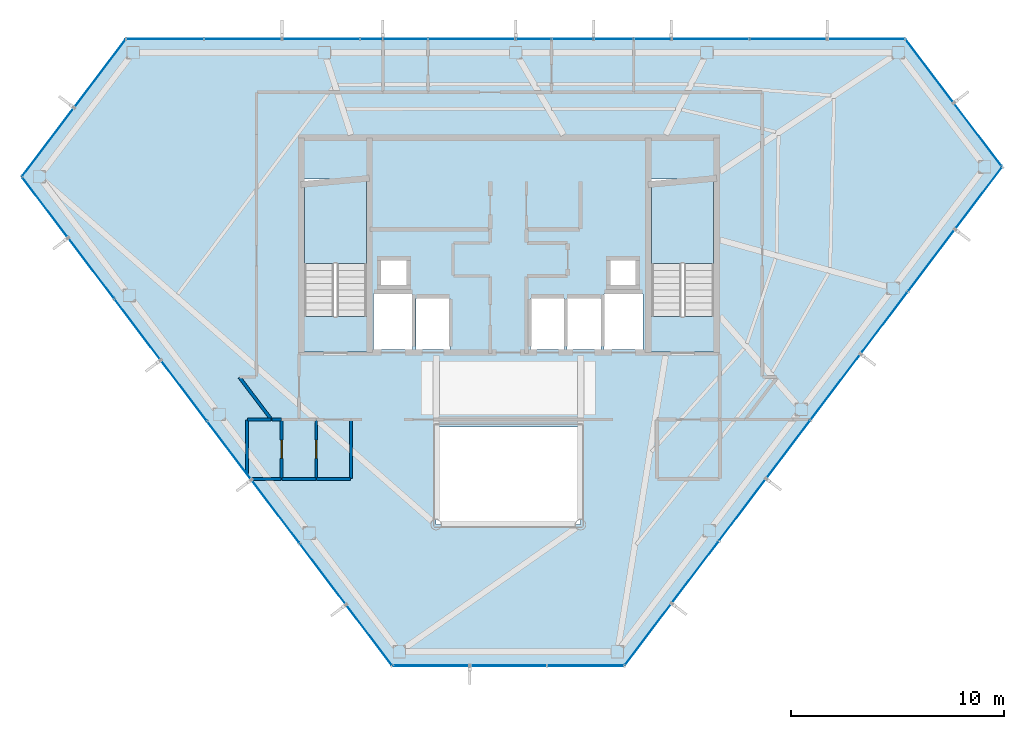
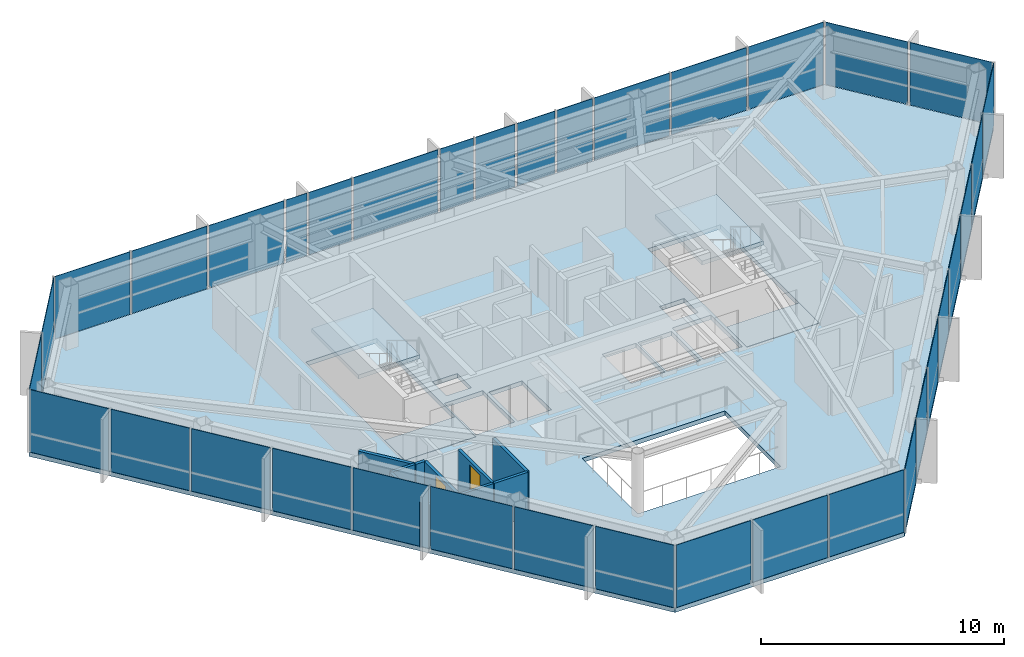
# One storey, part 21 of 25: 36 plates, 10 walls, 5 slabs, 2 doors, 2 openings, 8 elements without a shape of their own.
"""IFC4 building model written with IfcOpenShell, lengths in metres."""

from ifc_helpers import new_model, si_unit, direction, frame, frame_2d, origin, origin_2d, place, context, subcontext, project, spatial, polyline, rectangle, outline, extrude, material, layer, layer_set, type_object, element, fill, aggregate, save


model = new_model("IFC4")

# Units and contexts
model_context = context("Model", 3, precision=1e-05, world=origin(), true_north=direction((0.0, 1.0)))
body_context = subcontext(model_context, "Body", "Model", "MODEL_VIEW")
ifc_project = project(units=[si_unit("LENGTHUNIT", "METRE"), si_unit("AREAUNIT", "SQUARE_METRE"), si_unit("VOLUMEUNIT", "CUBIC_METRE"), si_unit("PLANEANGLEUNIT", "RADIAN"), si_unit("MASSUNIT", "GRAM", prefix="KILO")], contexts=[model_context])

# Site, building, storey
site_placement = place(None, origin())
site = spatial("IfcSite", under=ifc_project, at=site_placement, CompositionType="ELEMENT")
building_placement = place(site_placement, origin())
building = spatial("IfcBuilding", under=site, at=building_placement, Name="Zarrinselat Tower", CompositionType="ELEMENT")
storey_placement = place(building_placement, frame((0.0, 0.0, 239.360107421875)))
storey = spatial("IfcBuildingStorey", under=building, at=storey_placement, Name="L60", CompositionType="ELEMENT", Elevation=239.360107421875)

# Curtain wall, plates
ifc_material_1 = material(Name="Extruded Aluminium Alloy EN AW-6063 T6", Category="aluminium")
ifc_layer_1 = layer(ifc_material_1, 0.169921875)
ifc_layer_set_1 = layer_set([ifc_layer_1], Name="Extruded Aluminium Alloy EN AW-6063 T6")
curtain_wall_type = type_object("IfcCurtainWallType", Name="CWS-RES", PredefinedType="NOTDEFINED", material=ifc_layer_set_1)
curtain_wall_1_placement = place(storey_placement, origin())
curtain_wall_1 = element("IfcCurtainWall", 1, at=curtain_wall_1_placement, inside=storey, type_object=curtain_wall_type, Name="L60 Unitised Curtain Wall CW-L60-E01", PredefinedType="NOTDEFINED")
ifc_material_2 = material(Name="Double Low-E Laminated Solar Glass", Category="glass")
ifc_layer_2 = layer(ifc_material_2, 0.028076171875)
ifc_layer_set_2 = layer_set([ifc_layer_2], Name="Double Low-E Laminated Solar Glass")
plate_type = type_object("IfcPlateType", Name="PLT-CW-GL28", PredefinedType="CURTAIN_PANEL", material=ifc_layer_set_2)
plate_1_placement = place(storey_placement, frame((55.236083984375, 48.06103515625, 0.02001953125), z_axis=(0.0, 0.0, 1.0), x_axis=(-1.0, 0.0, 0.0)))
plate_1 = element("IfcPlate", 2, at=plate_1_placement, type_object=plate_type, Name="CW-L60-E01 Vision Glass Panel 1", PredefinedType="CURTAIN_PANEL", context=body_context, shape_type="SweptSolid", body=[
    extrude(rectangle(XDim=3.564697265625, YDim=0.028076171875, at=origin_2d()), origin(), (0.0, 0.0, 1.0), 3.139892578125),
])
plate_2_placement = place(storey_placement, frame((51.5712890625, 48.06103515625, 0.02001953125), z_axis=(0.0, 0.0, 1.0), x_axis=(-1.0, 0.0, 0.0)))
plate_2 = element("IfcPlate", 3, at=plate_2_placement, type_object=plate_type, Name="CW-L60-E01 Vision Glass Panel 2", PredefinedType="CURTAIN_PANEL", context=body_context, shape_type="SweptSolid", body=[
    extrude(rectangle(XDim=3.564697265625, YDim=0.028076171875, at=origin_2d()), origin(), (0.0, 0.0, 1.0), 3.139892578125),
])
plate_3_placement = place(storey_placement, frame((47.90673828125, 48.06103515625, 0.02001953125), z_axis=(0.0, 0.0, 1.0), x_axis=(-1.0, 0.0, 0.0)))
plate_3 = element("IfcPlate", 4, at=plate_3_placement, type_object=plate_type, Name="CW-L60-E01 Vision Glass Panel 3", PredefinedType="CURTAIN_PANEL", context=body_context, shape_type="SweptSolid", body=[
    extrude(rectangle(XDim=3.564697265625, YDim=0.028076171875, at=origin_2d()), origin(), (0.0, 0.0, 1.0), 3.139892578125),
])
plate_4_placement = place(storey_placement, frame((45.18701171875, 48.06103515625, 0.02001953125), z_axis=(0.0, 0.0, 1.0), x_axis=(-1.0, 0.0, 0.0)))
plate_4 = element("IfcPlate", 5, at=plate_4_placement, type_object=plate_type, Name="CW-L60-E01 Vision Glass Panel 4", PredefinedType="CURTAIN_PANEL", context=body_context, shape_type="SweptSolid", body=[
    extrude(rectangle(XDim=1.67431640625, YDim=0.028076171875, at=origin_2d()), origin(), (0.0, 0.0, 1.0), 3.139892578125),
])
plate_5_placement = place(storey_placement, frame((43.354736328125, 48.06103515625, 0.02001953125), z_axis=(0.0, 0.0, 1.0), x_axis=(-1.0, 0.0, 0.0)))
plate_5 = element("IfcPlate", 6, at=plate_5_placement, type_object=plate_type, Name="CW-L60-E01 Vision Glass Panel 5", PredefinedType="CURTAIN_PANEL", context=body_context, shape_type="SweptSolid", body=[
    extrude(rectangle(XDim=1.79052734375, YDim=0.028076171875, at=origin_2d()), origin(), (0.0, 0.0, 1.0), 3.139892578125),
])
plate_6_placement = place(storey_placement, frame((41.419677734375, 48.06103515625, 0.02001953125), z_axis=(0.0, 0.0, 1.0), x_axis=(-1.0, 0.0, 0.0)))
plate_6 = element("IfcPlate", 7, at=plate_6_placement, type_object=plate_type, Name="CW-L60-E01 Vision Glass Panel 6", PredefinedType="CURTAIN_PANEL", context=body_context, shape_type="SweptSolid", body=[
    extrude(rectangle(XDim=1.8798828125, YDim=0.028076171875, at=origin_2d()), origin(), (0.0, 0.0, 1.0), 3.139892578125),
])
plate_7_placement = place(storey_placement, frame((39.587158203125, 48.06103515625, 0.02001953125), z_axis=(0.0, 0.0, 1.0), x_axis=(-1.0, 0.0, 0.0)))
plate_7 = element("IfcPlate", 8, at=plate_7_placement, type_object=plate_type, Name="CW-L60-E01 Vision Glass Panel 7", PredefinedType="CURTAIN_PANEL", context=body_context, shape_type="SweptSolid", body=[
    extrude(rectangle(XDim=1.584716796875, YDim=0.028076171875, at=origin_2d()), origin(), (0.0, 0.0, 1.0), 3.139892578125),
])
plate_8_placement = place(storey_placement, frame((36.684326171875, 48.06103515625, 0.02001953125), z_axis=(0.0, 0.0, 1.0), x_axis=(-1.0, 0.0, 0.0)))
plate_8 = element("IfcPlate", 9, at=plate_8_placement, type_object=plate_type, Name="CW-L60-E01 Vision Glass Panel 8", PredefinedType="CURTAIN_PANEL", context=body_context, shape_type="SweptSolid", body=[
    extrude(rectangle(XDim=4.020751953125, YDim=0.028076171875, at=origin_2d()), origin(), (0.0, 0.0, 1.0), 3.139892578125),
])
plate_9_placement = place(storey_placement, frame((33.56201171875, 48.06103515625, 0.02001953125), z_axis=(0.0, 0.0, 1.0), x_axis=(-1.0, 0.0, 0.0)))
plate_9 = element("IfcPlate", 10, at=plate_9_placement, type_object=plate_type, Name="CW-L60-E01 Vision Glass Panel 9", PredefinedType="CURTAIN_PANEL", context=body_context, shape_type="SweptSolid", body=[
    extrude(rectangle(XDim=2.02392578125, YDim=0.028076171875, at=origin_2d()), origin(), (0.0, 0.0, 1.0), 3.139892578125),
])
plate_10_placement = place(storey_placement, frame((31.95751953125, 48.06103515625, 0.02001953125), z_axis=(0.0, 0.0, 1.0), x_axis=(-1.0, 0.0, 0.0)))
plate_10 = element("IfcPlate", 11, at=plate_10_placement, type_object=plate_type, Name="CW-L60-E01 Vision Glass Panel 10", PredefinedType="CURTAIN_PANEL", context=body_context, shape_type="SweptSolid", body=[
    extrude(rectangle(XDim=0.98486328125, YDim=0.028076171875, at=origin_2d()), origin(), (0.0, 0.0, 1.0), 3.139892578125),
])
plate_11_placement = place(storey_placement, frame((29.582763671875, 48.06103515625, 0.02001953125), z_axis=(0.0, 0.0, 1.0), x_axis=(-1.0, 0.0, 0.0)))
plate_11 = element("IfcPlate", 12, at=plate_11_placement, type_object=plate_type, Name="CW-L60-E01 Vision Glass Panel 11", PredefinedType="CURTAIN_PANEL", context=body_context, shape_type="SweptSolid", body=[
    extrude(rectangle(XDim=3.564697265625, YDim=0.028076171875, at=origin_2d()), origin(), (0.0, 0.0, 1.0), 3.139892578125),
])
plate_12_placement = place(storey_placement, frame((25.918212890625, 48.06103515625, 0.02001953125), z_axis=(0.0, 0.0, 1.0), x_axis=(-1.0, 0.0, 0.0)))
plate_12 = element("IfcPlate", 13, at=plate_12_placement, type_object=plate_type, Name="CW-L60-E01 Vision Glass Panel 12", PredefinedType="CURTAIN_PANEL", context=body_context, shape_type="SweptSolid", body=[
    extrude(rectangle(XDim=3.564697265625, YDim=0.028076171875, at=origin_2d()), origin(), (0.0, 0.0, 1.0), 3.139892578125),
])
plate_13_placement = place(storey_placement, frame((22.25341796875, 48.06103515625, 0.02001953125), z_axis=(0.0, 0.0, 1.0), x_axis=(-1.0, 0.0, 0.0)))
plate_13 = element("IfcPlate", 14, at=plate_13_placement, type_object=plate_type, Name="CW-L60-E01 Vision Glass Panel 13", PredefinedType="CURTAIN_PANEL", context=body_context, shape_type="SweptSolid", body=[
    extrude(rectangle(XDim=3.564697265625, YDim=0.028076171875, at=origin_2d()), origin(), (0.0, 0.0, 1.0), 3.139892578125),
])
aggregate(curtain_wall_1, [plate_1, plate_2, plate_3, plate_4, plate_5, plate_6, plate_7, plate_8, plate_9, plate_10, plate_11, plate_12, plate_13])

curtain_wall_2_placement = place(storey_placement, origin())
curtain_wall_2 = element("IfcCurtainWall", 15, at=curtain_wall_2_placement, inside=storey, type_object=curtain_wall_type, Name="L60 Unitised Curtain Wall CW-L60-E02", PredefinedType="NOTDEFINED")
plate_14_placement = place(storey_placement, frame((19.192626953125, 46.439697265625, 0.02001953125), z_axis=(0.0, 0.0, 1.0), x_axis=(-0.603859107785, -0.797091072554, 0.0)))
plate_14 = element("IfcPlate", 16, at=plate_14_placement, type_object=plate_type, Name="CW-L60-E02 Vision Glass Panel 1", PredefinedType="CURTAIN_PANEL", context=body_context, shape_type="SweptSolid", body=[
    extrude(rectangle(XDim=3.96826171875, YDim=0.028076171875, at=origin_2d()), origin(), (0.0, 0.0, 1.0), 3.139892578125),
])
plate_15_placement = place(storey_placement, frame((16.736083984375, 43.197021484375, 0.02001953125), z_axis=(0.0, 0.0, 1.0), x_axis=(-0.603859107785, -0.797091072554, 0.0)))
plate_15 = element("IfcPlate", 17, at=plate_15_placement, type_object=plate_type, Name="CW-L60-E02 Vision Glass Panel 2", PredefinedType="CURTAIN_PANEL", context=body_context, shape_type="SweptSolid", body=[
    extrude(rectangle(XDim=3.96826171875, YDim=0.028076171875, at=origin_2d()), origin(), (0.0, 0.0, 1.0), 3.139892578125),
])
aggregate(curtain_wall_2, [plate_14, plate_15])

curtain_wall_3_placement = place(storey_placement, origin())
curtain_wall_3 = element("IfcCurtainWall", 18, at=curtain_wall_3_placement, inside=storey, type_object=curtain_wall_type, Name="L60 Unitised Curtain Wall CW-L60-E03", PredefinedType="NOTDEFINED")
plate_16_placement = place(storey_placement, frame((16.597412109375, 40.137451171875, 0.02001953125), z_axis=(0.0, 0.0, 1.0), x_axis=(0.603857888062, -0.797091996588, 0.0)))
plate_16 = element("IfcPlate", 19, at=plate_16_placement, type_object=plate_type, Name="CW-L60-E03 Vision Glass Panel 1", PredefinedType="CURTAIN_PANEL", context=body_context, shape_type="SweptSolid", body=[
    extrude(rectangle(XDim=3.5087890625, YDim=0.028076171875, at=origin_2d()), origin(), (0.0, 0.0, 1.0), 3.139892578125),
])
plate_17_placement = place(storey_placement, frame((18.776611328125, 37.2607421875, 0.02001953125), z_axis=(0.0, 0.0, 1.0), x_axis=(0.603857888062, -0.797091996588, 0.0)))
plate_17 = element("IfcPlate", 20, at=plate_17_placement, type_object=plate_type, Name="CW-L60-E03 Vision Glass Panel 2", PredefinedType="CURTAIN_PANEL", context=body_context, shape_type="SweptSolid", body=[
    extrude(rectangle(XDim=3.5087890625, YDim=0.028076171875, at=origin_2d()), origin(), (0.0, 0.0, 1.0), 3.139892578125),
])
plate_18_placement = place(storey_placement, frame((20.955810546875, 34.384033203125, 0.02001953125), z_axis=(0.0, 0.0, 1.0), x_axis=(0.603857888062, -0.797091996588, 0.0)))
plate_18 = element("IfcPlate", 21, at=plate_18_placement, type_object=plate_type, Name="CW-L60-E03 Vision Glass Panel 3", PredefinedType="CURTAIN_PANEL", context=body_context, shape_type="SweptSolid", body=[
    extrude(rectangle(XDim=3.5087890625, YDim=0.028076171875, at=origin_2d()), origin(), (0.0, 0.0, 1.0), 3.139892578125),
])
plate_19_placement = place(storey_placement, frame((23.135009765625, 31.507568359375, 0.02001953125), z_axis=(0.0, 0.0, 1.0), x_axis=(0.603857888062, -0.797091996588, 0.0)))
plate_19 = element("IfcPlate", 22, at=plate_19_placement, type_object=plate_type, Name="CW-L60-E03 Vision Glass Panel 4", PredefinedType="CURTAIN_PANEL", context=body_context, shape_type="SweptSolid", body=[
    extrude(rectangle(XDim=3.5087890625, YDim=0.028076171875, at=origin_2d()), origin(), (0.0, 0.0, 1.0), 3.139892578125),
])
plate_20_placement = place(storey_placement, frame((25.2685546875, 28.69140625, 0.02001953125), z_axis=(0.0, 0.0, 1.0), x_axis=(0.603857888062, -0.797091996588, 0.0)))
plate_20 = element("IfcPlate", 23, at=plate_20_placement, type_object=plate_type, Name="CW-L60-E03 Vision Glass Panel 5", PredefinedType="CURTAIN_PANEL", context=body_context, shape_type="SweptSolid", body=[
    extrude(rectangle(XDim=3.356689453125, YDim=0.028076171875, at=origin_2d()), origin(), (0.0, 0.0, 1.0), 3.139892578125),
])
plate_21_placement = place(storey_placement, frame((27.44775390625, 25.81494140625, 0.02001953125), z_axis=(0.0, 0.0, 1.0), x_axis=(0.603857888062, -0.797091996588, 0.0)))
plate_21 = element("IfcPlate", 24, at=plate_21_placement, type_object=plate_type, Name="CW-L60-E03 Vision Glass Panel 6", PredefinedType="CURTAIN_PANEL", context=body_context, shape_type="SweptSolid", body=[
    extrude(rectangle(XDim=3.660888671875, YDim=0.028076171875, at=origin_2d()), origin(), (0.0, 0.0, 1.0), 3.139892578125),
])
plate_22_placement = place(storey_placement, frame((29.6728515625, 22.877685546875, 0.02001953125), z_axis=(0.0, 0.0, 1.0), x_axis=(0.603857888062, -0.797091996588, 0.0)))
plate_22 = element("IfcPlate", 25, at=plate_22_placement, type_object=plate_type, Name="CW-L60-E03 Vision Glass Panel 7", PredefinedType="CURTAIN_PANEL", context=body_context, shape_type="SweptSolid", body=[
    extrude(rectangle(XDim=3.5087890625, YDim=0.028076171875, at=origin_2d()), origin(), (0.0, 0.0, 1.0), 3.139892578125),
])
plate_23_placement = place(storey_placement, frame((31.852294921875, 20.0009765625, 0.02001953125), z_axis=(0.0, 0.0, 1.0), x_axis=(0.603857888062, -0.797091996588, 0.0)))
plate_23 = element("IfcPlate", 26, at=plate_23_placement, type_object=plate_type, Name="CW-L60-E03 Vision Glass Panel 8", PredefinedType="CURTAIN_PANEL", context=body_context, shape_type="SweptSolid", body=[
    extrude(rectangle(XDim=3.5087890625, YDim=0.028076171875, at=origin_2d()), origin(), (0.0, 0.0, 1.0), 3.139892578125),
])
aggregate(curtain_wall_3, [plate_16, plate_17, plate_18, plate_19, plate_20, plate_21, plate_22, plate_23])

curtain_wall_4_placement = place(storey_placement, origin())
curtain_wall_4 = element("IfcCurtainWall", 27, at=curtain_wall_4_placement, inside=storey, type_object=curtain_wall_type, Name="L60 Unitised Curtain Wall CW-L60-E04", PredefinedType="NOTDEFINED")
plate_24_placement = place(storey_placement, frame((34.76123046875, 18.562744140625, 0.02001953125), z_axis=(0.0, 0.0, 1.0), x_axis=(1.0, 0.0, 0.0)))
plate_24 = element("IfcPlate", 28, at=plate_24_placement, type_object=plate_type, Name="CW-L60-E04 Vision Glass Panel 1", PredefinedType="CURTAIN_PANEL", context=body_context, shape_type="SweptSolid", body=[
    extrude(rectangle(XDim=3.538818359375, YDim=0.028076171875, at=origin_2d()), origin(), (0.0, 0.0, 1.0), 3.139892578125),
])
plate_25_placement = place(storey_placement, frame((38.39990234375, 18.562744140625, 0.02001953125), z_axis=(0.0, 0.0, 1.0), x_axis=(1.0, 0.0, 0.0)))
plate_25 = element("IfcPlate", 29, at=plate_25_placement, type_object=plate_type, Name="CW-L60-E04 Vision Glass Panel 2", PredefinedType="CURTAIN_PANEL", context=body_context, shape_type="SweptSolid", body=[
    extrude(rectangle(XDim=3.538818359375, YDim=0.028076171875, at=origin_2d()), origin(), (0.0, 0.0, 1.0), 3.139892578125),
])
plate_26_placement = place(storey_placement, frame((42.038818359375, 18.562744140625, 0.02001953125), z_axis=(0.0, 0.0, 1.0), x_axis=(1.0, 0.0, 0.0)))
plate_26 = element("IfcPlate", 30, at=plate_26_placement, type_object=plate_type, Name="CW-L60-E04 Vision Glass Panel 3", PredefinedType="CURTAIN_PANEL", context=body_context, shape_type="SweptSolid", body=[
    extrude(rectangle(XDim=3.538818359375, YDim=0.028076171875, at=origin_2d()), origin(), (0.0, 0.0, 1.0), 3.139892578125),
])
aggregate(curtain_wall_4, [plate_24, plate_25, plate_26])

curtain_wall_5_placement = place(storey_placement, origin())
curtain_wall_5 = element("IfcCurtainWall", 31, at=curtain_wall_5_placement, inside=storey, type_object=curtain_wall_type, Name="L60 Unitised Curtain Wall CW-L60-E05", PredefinedType="NOTDEFINED")
plate_27_placement = place(storey_placement, frame((44.969482421875, 20.029541015625, 0.02001953125), z_axis=(0.0, 0.0, 1.0), x_axis=(0.603858472709, 0.797091553674, 0.0)))
plate_27 = element("IfcPlate", 32, at=plate_27_placement, type_object=plate_type, Name="CW-L60-E05 Vision Glass Panel 1", PredefinedType="CURTAIN_PANEL", context=body_context, shape_type="SweptSolid", body=[
    extrude(rectangle(XDim=3.580322265625, YDim=0.028076171875, at=origin_2d()), origin(), (0.0, 0.0, 1.0), 3.139892578125),
])
plate_28_placement = place(storey_placement, frame((47.191650390625, 22.962890625, 0.02001953125), z_axis=(0.0, 0.0, 1.0), x_axis=(0.603858472709, 0.797091553674, 0.0)))
plate_28 = element("IfcPlate", 33, at=plate_28_placement, type_object=plate_type, Name="CW-L60-E05 Vision Glass Panel 2", PredefinedType="CURTAIN_PANEL", context=body_context, shape_type="SweptSolid", body=[
    extrude(rectangle(XDim=3.580322265625, YDim=0.028076171875, at=origin_2d()), origin(), (0.0, 0.0, 1.0), 3.139892578125),
])
plate_29_placement = place(storey_placement, frame((49.4140625, 25.896484375, 0.02001953125), z_axis=(0.0, 0.0, 1.0), x_axis=(0.603858472709, 0.797091553674, 0.0)))
plate_29 = element("IfcPlate", 34, at=plate_29_placement, type_object=plate_type, Name="CW-L60-E05 Vision Glass Panel 3", PredefinedType="CURTAIN_PANEL", context=body_context, shape_type="SweptSolid", body=[
    extrude(rectangle(XDim=3.580322265625, YDim=0.028076171875, at=origin_2d()), origin(), (0.0, 0.0, 1.0), 3.139892578125),
])
plate_30_placement = place(storey_placement, frame((51.567138671875, 28.738525390625, 0.02001953125), z_axis=(0.0, 0.0, 1.0), x_axis=(0.603858472709, 0.797091553674, 0.0)))
plate_30 = element("IfcPlate", 35, at=plate_30_placement, type_object=plate_type, Name="CW-L60-E05 Vision Glass Panel 4", PredefinedType="CURTAIN_PANEL", context=body_context, shape_type="SweptSolid", body=[
    extrude(rectangle(XDim=3.3505859375, YDim=0.028076171875, at=origin_2d()), origin(), (0.0, 0.0, 1.0), 3.139892578125),
])
plate_31_placement = place(storey_placement, frame((53.78955078125, 31.672119140625, 0.02001953125), z_axis=(0.0, 0.0, 1.0), x_axis=(0.603858472709, 0.797091553674, 0.0)))
plate_31 = element("IfcPlate", 36, at=plate_31_placement, type_object=plate_type, Name="CW-L60-E05 Vision Glass Panel 5", PredefinedType="CURTAIN_PANEL", context=body_context, shape_type="SweptSolid", body=[
    extrude(rectangle(XDim=3.809814453125, YDim=0.028076171875, at=origin_2d()), origin(), (0.0, 0.0, 1.0), 3.139892578125),
])
plate_32_placement = place(storey_placement, frame((56.081298828125, 34.697021484375, 0.02001953125), z_axis=(0.0, 0.0, 1.0), x_axis=(0.603858472709, 0.797091553674, 0.0)))
plate_32 = element("IfcPlate", 37, at=plate_32_placement, type_object=plate_type, Name="CW-L60-E05 Vision Glass Panel 6", PredefinedType="CURTAIN_PANEL", context=body_context, shape_type="SweptSolid", body=[
    extrude(rectangle(XDim=3.580322265625, YDim=0.028076171875, at=origin_2d()), origin(), (0.0, 0.0, 1.0), 3.139892578125),
])
plate_33_placement = place(storey_placement, frame((58.3037109375, 37.630615234375, 0.02001953125), z_axis=(0.0, 0.0, 1.0), x_axis=(0.603858472709, 0.797091553674, 0.0)))
plate_33 = element("IfcPlate", 38, at=plate_33_placement, type_object=plate_type, Name="CW-L60-E05 Vision Glass Panel 7", PredefinedType="CURTAIN_PANEL", context=body_context, shape_type="SweptSolid", body=[
    extrude(rectangle(XDim=3.580322265625, YDim=0.028076171875, at=origin_2d()), origin(), (0.0, 0.0, 1.0), 3.139892578125),
])
plate_34_placement = place(storey_placement, frame((60.52587890625, 40.56396484375, 0.02001953125), z_axis=(0.0, 0.0, 1.0), x_axis=(0.603858472709, 0.797091553674, 0.0)))
plate_34 = element("IfcPlate", 39, at=plate_34_placement, type_object=plate_type, Name="CW-L60-E05 Vision Glass Panel 8", PredefinedType="CURTAIN_PANEL", context=body_context, shape_type="SweptSolid", body=[
    extrude(rectangle(XDim=3.580322265625, YDim=0.028076171875, at=origin_2d()), origin(), (0.0, 0.0, 1.0), 3.139892578125),
])
aggregate(curtain_wall_5, [plate_27, plate_28, plate_29, plate_30, plate_31, plate_32, plate_33, plate_34])

curtain_wall_6_placement = place(storey_placement, origin())
curtain_wall_6 = element("IfcCurtainWall", 40, at=curtain_wall_6_placement, inside=storey, type_object=curtain_wall_type, Name="L60 Unitised Curtain Wall CW-L60-E06", PredefinedType="NOTDEFINED")
plate_35_placement = place(storey_placement, frame((60.4951171875, 43.538330078125, 0.02001953125), z_axis=(0.0, 0.0, 1.0), x_axis=(-0.603865322642, 0.797086364274, 0.0)))
plate_35 = element("IfcPlate", 41, at=plate_35_placement, type_object=plate_type, Name="CW-L60-E06 Vision Glass Panel 1", PredefinedType="CURTAIN_PANEL", context=body_context, shape_type="SweptSolid", body=[
    extrude(rectangle(XDim=3.6826171875, YDim=0.028076171875, at=origin_2d()), origin(), (0.0, 0.0, 1.0), 3.139892578125),
])
plate_36_placement = place(storey_placement, frame((58.210693359375, 46.553466796875, 0.02001953125), z_axis=(0.0, 0.0, 1.0), x_axis=(-0.603865322642, 0.797086364274, 0.0)))
plate_36 = element("IfcPlate", 42, at=plate_36_placement, type_object=plate_type, Name="CW-L60-E06 Vision Glass Panel 2", PredefinedType="CURTAIN_PANEL", context=body_context, shape_type="SweptSolid", body=[
    extrude(rectangle(XDim=3.6826171875, YDim=0.028076171875, at=origin_2d()), origin(), (0.0, 0.0, 1.0), 3.139892578125),
])
aggregate(curtain_wall_6, [plate_35, plate_36])

# Slabs
ifc_material_3 = material(Name="Concrete C40/50", Category="concrete")
ifc_layer_3 = layer(ifc_material_3, 0.219970703125)
ifc_layer_set_3 = layer_set([ifc_layer_3], Name="Concrete C40/50")
slab_type_1 = type_object("IfcSlabType", Name="SLB-FLOOR-220-SL-RS220", PredefinedType="FLOOR", material=ifc_layer_set_3)
slab_1_placement = place(storey_placement, frame((0.0, 0.0, -0.22021484375)))
element("IfcSlab", 43, at=slab_1_placement, inside=storey, type_object=slab_type_1, Name="L60 Primary Structural Slab", PredefinedType="FLOOR", context=body_context, shape_type="SweptSolid", body=[
    extrude(outline(polyline([(57.068603515625, 48.06103515625), (20.4208984375, 48.06103515625), (15.5078125, 41.57568359375), (32.94189453125, 18.562744140625), (43.858154296875, 18.562744140625), (61.63720703125, 42.03076171875), (57.068603515625, 48.06103515625)]), holes=[polyline([(41.800048828125, 25.199951171875), (35.0, 25.199951171875), (35.0, 29.800048828125), (41.800048828125, 29.800048828125), (41.800048828125, 25.199951171875)]), polyline([(35.64990234375, 33.449951171875), (34.050048828125, 33.449951171875), (34.050048828125, 35.85009765625), (35.64990234375, 35.85009765625), (35.64990234375, 33.449951171875)]), polyline([(41.050048828125, 33.449951171875), (39.449951171875, 33.449951171875), (39.449951171875, 35.85009765625), (41.050048828125, 35.85009765625), (41.050048828125, 33.449951171875)]), polyline([(41.14990234375, 33.449951171875), (41.14990234375, 35.85009765625), (42.75, 35.85009765625), (42.75, 33.449951171875), (41.14990234375, 33.449951171875)]), polyline([(32.06005859375, 33.449951171875), (32.06005859375, 36.050048828125), (33.89990234375, 36.050048828125), (33.89990234375, 33.449951171875), (32.06005859375, 33.449951171875)]), polyline([(44.739990234375, 33.449951171875), (42.89990234375, 33.449951171875), (42.89990234375, 36.050048828125), (44.739990234375, 36.050048828125), (44.739990234375, 33.449951171875)]), polyline([(33.60009765625, 36.47998046875), (32.419921875, 36.47998046875), (32.419921875, 37.639892578125), (33.60009765625, 37.639892578125), (33.60009765625, 36.47998046875)]), polyline([(44.3798828125, 36.47998046875), (43.199951171875, 36.47998046875), (43.199951171875, 37.639892578125), (44.3798828125, 37.639892578125), (44.3798828125, 36.47998046875)]), polyline([(31.985107421875, 33.324951171875), (28.60498046875, 33.324951171875), (28.60498046875, 41.47509765625), (31.985107421875, 41.47509765625), (31.985107421875, 33.324951171875)]), polyline([(48.324951171875, 33.324951171875), (44.875, 33.324951171875), (44.875, 41.47509765625), (48.324951171875, 41.47509765625), (48.324951171875, 33.324951171875)])]), origin(), (0.0, 0.0, 1.0), 0.22021484375),
])
slab_2_placement = place(storey_placement, frame((0.0, 0.0, -0.22021484375)))
element("IfcSlab", 44, at=slab_2_placement, inside=storey, type_object=slab_type_1, Name="L60 Stair ST-1-FL1 Structural Floor Landing", PredefinedType="FLOOR", context=body_context, shape_type="SweptSolid", body=[
    extrude(outline(polyline([(31.97998046875, 33.330078125), (31.97998046875, 35.0), (28.610107421875, 35.0), (28.610107421875, 33.330078125), (31.97998046875, 33.330078125)])), origin(), (0.0, 0.0, 1.0), 0.22021484375),
])
slab_3_placement = place(storey_placement, frame((0.0, 0.0, -0.22021484375)))
element("IfcSlab", 45, at=slab_3_placement, inside=storey, type_object=slab_type_1, Name="L60 Stair ST-2-FL1 Structural Floor Landing", PredefinedType="FLOOR", context=body_context, shape_type="SweptSolid", body=[
    extrude(outline(polyline([(48.320068359375, 33.330078125), (48.320068359375, 35.0), (44.8798828125, 35.0), (44.8798828125, 33.330078125), (48.320068359375, 33.330078125)])), origin(), (0.0, 0.0, 1.0), 0.22021484375),
])

# Stair, slab
ifc_material_4 = material(Name="Concrete C40/50", Category="concrete")
stair_type = type_object("IfcStairType", Name="STR-CORE-155", PredefinedType="HALF_TURN_STAIR", material=ifc_material_4)
stair_1_placement = place(storey_placement, origin())
stair_1 = element("IfcStair", 46, at=stair_1_placement, inside=storey, type_object=stair_type, Name="L60 Core Exit Stair 1", PredefinedType="HALF_TURN_STAIR")
ifc_material_5 = material(Name="Concrete C40/50", Category="concrete")
ifc_layer_4 = layer(ifc_material_5, 0.18994140625)
ifc_layer_set_4 = layer_set([ifc_layer_4], Name="Concrete C40/50")
slab_type_2 = type_object("IfcSlabType", Name="SLB-LND-190", PredefinedType="LANDING", material=ifc_layer_set_4)
slab_4_placement = place(storey_placement, frame((0.0, 0.0, 1.5)))
slab_4 = element("IfcSlab", 47, at=slab_4_placement, type_object=slab_type_2, Name="ST-1 landing 1", PredefinedType="LANDING", context=body_context, shape_type="SweptSolid", body=[
    extrude(outline(polyline([(31.719970703125, 37.47998046875), (31.719970703125, 41.35009765625), (28.800048828125, 41.35009765625), (28.800048828125, 37.47998046875), (31.719970703125, 37.47998046875)])), origin(), (0.0, 0.0, 1.0), 0.199951171875),
])
aggregate(stair_1, [slab_4])

stair_2_placement = place(storey_placement, origin())
stair_2 = element("IfcStair", 48, at=stair_2_placement, inside=storey, type_object=stair_type, Name="L60 Core Exit Stair 2", PredefinedType="HALF_TURN_STAIR")
slab_5_placement = place(storey_placement, frame((0.0, 0.0, 1.5)))
slab_5 = element("IfcSlab", 49, at=slab_5_placement, type_object=slab_type_2, Name="ST-2 landing 1", PredefinedType="LANDING", context=body_context, shape_type="SweptSolid", body=[
    extrude(outline(polyline([(48.06005859375, 37.47998046875), (48.06005859375, 41.35009765625), (45.139892578125, 41.35009765625), (45.139892578125, 37.47998046875), (48.06005859375, 37.47998046875)])), origin(), (0.0, 0.0, 1.0), 0.199951171875),
])
aggregate(stair_2, [slab_5])

# Walls
ifc_material_6 = material(Name="Fire-Rated Gypsum Board Partition", Category="gypsum")
ifc_layer_5 = layer(ifc_material_6, 0.14990234375)
ifc_layer_set_5 = layer_set([ifc_layer_5], Name="Fire-Rated Gypsum Board Partition")
wall_type_1 = type_object("IfcWallType", Name="WAL-PART-EI60", PredefinedType="PARTITIONING", material=ifc_layer_set_5)
wall_1_placement = place(storey_placement, frame((27.269775390625, 30.14990234375, 0.0), z_axis=(0.0, 0.0, 1.0), x_axis=(1.0, 0.0, 0.0)))
element("IfcWall", 50, at=wall_1_placement, inside=storey, type_object=wall_type_1, Name="L60 Partition Wall 26", PredefinedType="PARTITIONING", context=body_context, shape_type="SweptSolid", body=[
    extrude(rectangle(XDim=0.455322265625, YDim=0.14990234375, at=frame_2d((0.2275390625, 0.0))), origin(), (0.0, 0.0, 1.0), 2.23486328125),
])
wall_2_placement = place(storey_placement, frame((25.74658203125, 32.134033203125, 0.0), z_axis=(0.0, 0.0, 1.0), x_axis=(0.603931928578, -0.797035899847, 0.0)))
element("IfcWall", 51, at=wall_2_placement, inside=storey, type_object=wall_type_1, Name="L60 Partition Wall 29", PredefinedType="PARTITIONING", context=body_context, shape_type="SweptSolid", body=[
    extrude(rectangle(XDim=2.46923828125, YDim=0.14990234375, at=frame_2d((1.234619140625, 0.0))), origin(), (0.0, 0.0, 1.0), 2.23486328125),
])
ifc_material_7 = material(Name="Fire-Rated Gypsum Board Partition", Category="gypsum")
ifc_layer_6 = layer(ifc_material_7, 0.1201171875)
ifc_layer_set_6 = layer_set([ifc_layer_6], Name="Fire-Rated Gypsum Board Partition")
wall_type_2 = type_object("IfcWallType", Name="WAL-PART-STD", PredefinedType="PARTITIONING", material=ifc_layer_set_6)
wall_3_placement = place(storey_placement, frame((27.75, 27.35009765625, 0.0), z_axis=(0.0, 0.0, 1.0), x_axis=(1.0, 0.0, 0.0)))
element("IfcWall", 52, at=wall_3_placement, inside=storey, type_object=wall_type_2, Name="L60 Partition Wall 51", PredefinedType="PARTITIONING", context=body_context, shape_type="SweptSolid", body=[
    extrude(rectangle(XDim=1.590087890625, YDim=0.1201171875, at=frame_2d((0.794921875, 0.0))), origin(), (0.0, 0.0, 1.0), 2.23486328125),
])

# Wall, opening, door
ifc_material_8 = material(Name="Fire-Rated Gypsum Board Partition", Category="gypsum")
ifc_layer_7 = layer(ifc_material_8, 0.135009765625)
ifc_layer_set_7 = layer_set([ifc_layer_7], Name="Fire-Rated Gypsum Board Partition")
wall_type_3 = type_object("IfcWallType", Name="WAL-PART-WET", PredefinedType="PARTITIONING", material=ifc_layer_set_7)
wall_4_placement = place(storey_placement, frame((29.360107421875, 27.3701171875, 0.0), z_axis=(0.0, 0.0, 1.0), x_axis=(0.0, 1.0, 0.0)))
wall_4 = element("IfcWall", 53, at=wall_4_placement, inside=storey, type_object=wall_type_3, Name="L60 Partition Wall 44", PredefinedType="PARTITIONING", context=body_context, shape_type="SweptSolid", body=[
    extrude(rectangle(XDim=2.759765625, YDim=0.135009765625, at=frame_2d((1.3798828125, 0.0))), origin(), (0.0, 0.0, 1.0), 2.23486328125),
])
opening_1_placement = place(wall_4_placement, frame((0.949951171875, 0.0, 0.0)))
opening_1 = element("IfcOpeningElement", 54, at=opening_1_placement, cuts=wall_4, Name="Opening ID-06", PredefinedType="OPENING", context=body_context, shape_type="SweptSolid", body=[
    extrude(rectangle(XDim=0.860107421875, YDim=2.050048828125, at=frame_2d((0.43017578125, 1.02490234375))), frame((0.0, 0.077392578125, 0.0), z_axis=(0.0, -1.0, 0.0), x_axis=(1.0, 0.0, 0.0)), (0.0, 0.0, 1.0), 0.155029296875),
])
ifc_material_9 = material(Name="Extruded Aluminium Alloy EN AW-6063 T6", Category="aluminium")
door_type = type_object("IfcDoorType", Name="DR-INT-WET-900", OperationType="NOTDEFINED", PredefinedType="DOOR", material=ifc_material_9)
door_1_placement = place(opening_1_placement, origin())
door_1 = element("IfcDoor", 55, at=door_1_placement, inside=storey, type_object=door_type, Name="L60 Interior Door P44", OperationType="SINGLE_SWING_LEFT", OverallHeight=2.050048828125, OverallWidth=0.860107421875, PredefinedType="DOOR", context=body_context, shape_type="SweptSolid", body=[
    extrude(rectangle(XDim=0.860107421875, YDim=2.050048828125, at=frame_2d((0.43017578125, 1.02490234375))), frame((0.0, 0.02490234375, 0.0), z_axis=(0.0, -1.0, 0.0), x_axis=(1.0, 0.0, 0.0)), (0.0, 0.0, 1.0), 0.050048828125),
])
fill(opening_1, door_1)

# Walls
wall_5_placement = place(storey_placement, frame((29.3798828125, 27.35009765625, 0.0), z_axis=(0.0, 0.0, 1.0), x_axis=(1.0, 0.0, 0.0)))
element("IfcWall", 56, at=wall_5_placement, inside=storey, type_object=wall_type_3, Name="L60 Partition Wall 45", PredefinedType="PARTITIONING", context=body_context, shape_type="SweptSolid", body=[
    extrude(rectangle(XDim=1.60009765625, YDim=0.135009765625, at=frame_2d((0.800048828125, 0.0))), origin(), (0.0, 0.0, 1.0), 2.23486328125),
])
wall_6_placement = place(storey_placement, frame((31.0, 27.3701171875, 0.0), z_axis=(0.0, 0.0, 1.0), x_axis=(0.0, 1.0, 0.0)))
element("IfcWall", 57, at=wall_6_placement, inside=storey, type_object=wall_type_3, Name="L60 Partition Wall 46", PredefinedType="PARTITIONING", context=body_context, shape_type="SweptSolid", body=[
    extrude(rectangle(XDim=2.759765625, YDim=0.135009765625, at=frame_2d((1.3798828125, 0.0))), origin(), (0.0, 0.0, 1.0), 2.23486328125),
])

# Wall, opening, door
wall_7_placement = place(storey_placement, frame((27.72998046875, 27.3701171875, 0.0), z_axis=(0.0, 0.0, 1.0), x_axis=(0.0, 1.0, 0.0)))
wall_7 = element("IfcWall", 58, at=wall_7_placement, inside=storey, type_object=wall_type_3, Name="L60 Partition Wall 47", PredefinedType="PARTITIONING", context=body_context, shape_type="SweptSolid", body=[
    extrude(rectangle(XDim=2.759765625, YDim=0.135009765625, at=frame_2d((1.3798828125, 0.0))), origin(), (0.0, 0.0, 1.0), 2.23486328125),
])
opening_2_placement = place(wall_7_placement, frame((0.949951171875, 0.0, 0.0)))
opening_2 = element("IfcOpeningElement", 59, at=opening_2_placement, cuts=wall_7, Name="Opening ID-06", PredefinedType="OPENING", context=body_context, shape_type="SweptSolid", body=[
    extrude(rectangle(XDim=0.860107421875, YDim=2.050048828125, at=frame_2d((0.43017578125, 1.02490234375))), frame((0.0, 0.077392578125, 0.0), z_axis=(0.0, -1.0, 0.0), x_axis=(1.0, 0.0, 0.0)), (0.0, 0.0, 1.0), 0.155029296875),
])
door_2_placement = place(opening_2_placement, origin())
door_2 = element("IfcDoor", 60, at=door_2_placement, inside=storey, type_object=door_type, Name="L60 Interior Door P47", OperationType="SINGLE_SWING_RIGHT", OverallHeight=2.050048828125, OverallWidth=0.860107421875, PredefinedType="DOOR", context=body_context, shape_type="SweptSolid", body=[
    extrude(rectangle(XDim=0.860107421875, YDim=2.050048828125, at=frame_2d((0.43017578125, 1.02490234375))), frame((0.0, 0.02490234375, 0.0), z_axis=(0.0, -1.0, 0.0), x_axis=(1.0, 0.0, 0.0)), (0.0, 0.0, 1.0), 0.050048828125),
])
fill(opening_2, door_2)

# Walls
wall_8_placement = place(storey_placement, frame((26.2998046875, 27.35009765625, 0.0), z_axis=(0.0, 0.0, 1.0), x_axis=(1.0, 0.0, 0.0)))
element("IfcWall", 61, at=wall_8_placement, inside=storey, type_object=wall_type_3, Name="L60 Partition Wall 48", PredefinedType="PARTITIONING", context=body_context, shape_type="SweptSolid", body=[
    extrude(rectangle(XDim=1.41015625, YDim=0.135009765625, at=frame_2d((0.705078125, 0.0))), origin(), (0.0, 0.0, 1.0), 2.23486328125),
])
wall_9_placement = place(storey_placement, frame((26.10009765625, 27.60888671875, 0.0), z_axis=(0.0, 0.0, 1.0), x_axis=(0.0, 1.0, 0.0)))
element("IfcWall", 62, at=wall_9_placement, inside=storey, type_object=wall_type_3, Name="L60 Partition Wall 49", PredefinedType="PARTITIONING", context=body_context, shape_type="SweptSolid", body=[
    extrude(rectangle(XDim=2.52099609375, YDim=0.135009765625, at=frame_2d((1.260498046875, 0.0))), origin(), (0.0, 0.0, 1.0), 2.23486328125),
])
wall_10_placement = place(storey_placement, frame((26.1201171875, 30.14990234375, 0.0), z_axis=(0.0, 0.0, 1.0), x_axis=(1.0, 0.0, 0.0)))
element("IfcWall", 63, at=wall_10_placement, inside=storey, type_object=wall_type_3, Name="L60 Partition Wall 50", PredefinedType="PARTITIONING", context=body_context, shape_type="SweptSolid", body=[
    extrude(rectangle(XDim=1.109619140625, YDim=0.135009765625, at=frame_2d((0.5546875, 0.0))), origin(), (0.0, 0.0, 1.0), 2.23486328125),
])

save(model, "model.ifc")
